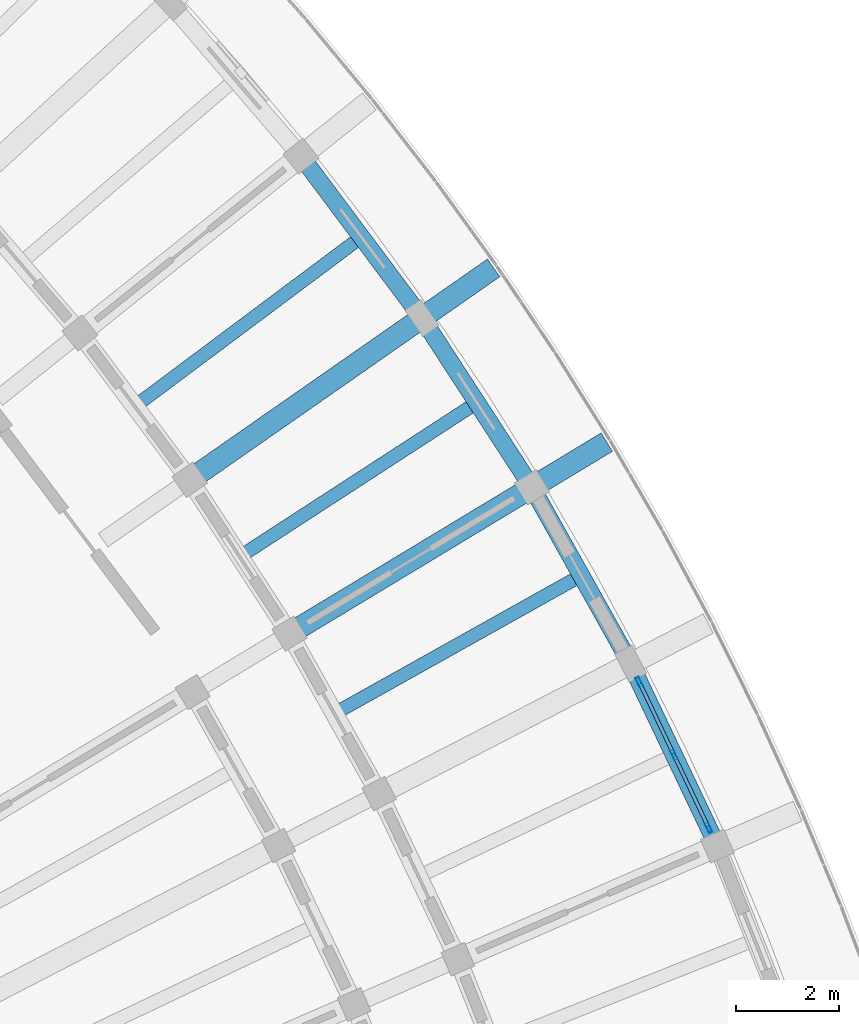
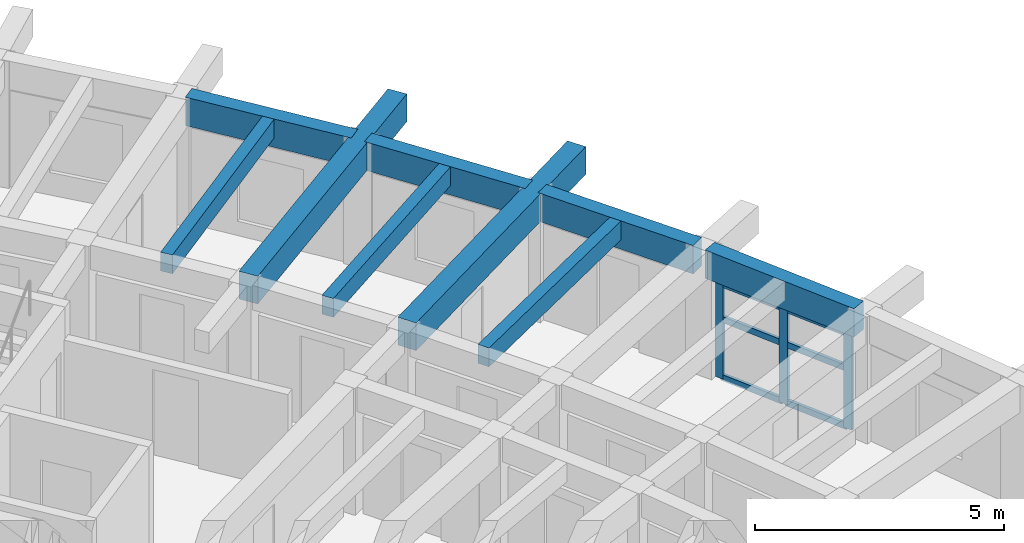
# One storey, part 28 of 83: 9 beams, 9 members, 1 element without a shape of its own.
"""IFC4 building model written with IfcOpenShell, lengths in metres."""

from ifc_helpers import new_model, si_unit, direction, frame, origin, origin_2d, place, context, subcontext, project, spatial, rectangle, hollow_rectangle, extrude, material, material_profile, profile_set, type_object, element, aggregate, save


model = new_model("IFC4")

# Units and contexts
model_context = context("Model", 3, precision=1e-05, world=origin(), true_north=direction((0.0, 1.0)))
body_context = subcontext(model_context, "Body", "Model", "MODEL_VIEW")
ifc_project = project(units=[si_unit("LENGTHUNIT", "METRE"), si_unit("AREAUNIT", "SQUARE_METRE"), si_unit("VOLUMEUNIT", "CUBIC_METRE"), si_unit("PLANEANGLEUNIT", "RADIAN"), si_unit("MASSUNIT", "GRAM", prefix="KILO")], contexts=[model_context])

# Site, building, storey
site_placement = place(None, origin())
site = spatial("IfcSite", under=ifc_project, at=site_placement, CompositionType="ELEMENT")
building_placement = place(site_placement, origin())
building = spatial("IfcBuilding", under=site, at=building_placement, Name="Tanwirah Colonnade Gardens", CompositionType="ELEMENT")
storey_placement = place(building_placement, frame((0.0, 0.0, 25.639892578125)))
storey = spatial("IfcBuildingStorey", under=building, at=storey_placement, Name="L07", CompositionType="ELEMENT", Elevation=25.639892578125)

# Beams
ifc_material_1 = material(Name="Precast concrete C45/55", Category="concrete")
ifc_material_profile_1 = material_profile(ifc_material_1, rectangle(XDim=0.419921875, YDim=0.679931640625, at=origin_2d()), Name="PC-BM 420x680")
ifc_profile_set_1 = profile_set([ifc_material_profile_1], Name="Precast concrete C45/55")
beam_type_1 = type_object("IfcBeamType", Name="BM-PC420", PredefinedType="BEAM", material=ifc_profile_set_1)
for number, where, z_axis, x_axis, name in (
    (1, (167.404296875, 88.205078125, 2.77001953125), (0.856157813984, 0.516714425533, 0.0), (-0.516714425533, 0.856157813984, 0.0), "Block B L07 Outer Radial Precast Girder 4"),
    (2, (165.458251953125, 91.20166015625, 2.77001953125), (0.820270158139, 0.571976282433, 0.0), (-0.571976282433, 0.820270158139, 0.0), "Block B L07 Outer Radial Precast Girder 5"),
):
    element("IfcBeam", number, at=place(storey_placement, frame(where, z_axis=z_axis, x_axis=x_axis)), inside=storey, type_object=beam_type_1, Name=name, PredefinedType="BEAM", context=body_context, shape_type="SweptSolid", body=[
        extrude(rectangle(XDim=0.419921875, YDim=0.679931640625, at=origin_2d()), origin(), (0.0, 0.0, 1.0), 7.050048828125),
    ])

# Curtain wall, members
ifc_material_2 = material(Name="Bronze-anodised aluminium and solar-control low-E glass", Category="aluminium")
curtain_wall_type = type_object("IfcCurtainWallType", Name="CW-LOB", PredefinedType="NOTDEFINED", material=ifc_material_2)
curtain_wall_placement = place(storey_placement, origin())
curtain_wall = element("IfcCurtainWall", 3, at=curtain_wall_placement, inside=storey, type_object=curtain_wall_type, Name="Curtain Wall CW-B-L07-OUT-02", PredefinedType="NOTDEFINED")
ifc_material_3 = material(Name="Bronze-anodised aluminium", Category="aluminium")
ifc_material_profile_2 = material_profile(ifc_material_3, hollow_rectangle(XDim=0.070068359375, YDim=0.199951171875, WallThickness=0.00390625, at=origin_2d()), Name="CW-MUL 70x200x4")
ifc_profile_set_2 = profile_set([ifc_material_profile_2], Name="Bronze-anodised aluminium")
member_type_1 = type_object("IfcMemberType", Name="CWM-70x200", PredefinedType="MULLION", material=ifc_profile_set_2)
member_1_placement = place(storey_placement, frame((175.418212890625, 84.355224609375, 0.0), z_axis=(0.0, 0.0, 1.0), x_axis=(-0.903002430471, -0.429635439138, 0.0)))
member_1 = element("IfcMember", 4, at=member_1_placement, type_object=member_type_1, Name="CW-LOB mullion 1", PredefinedType="MULLION", context=body_context, shape_type="SweptSolid", body=[
    extrude(hollow_rectangle(XDim=0.070068359375, YDim=0.199951171875, WallThickness=0.00390625, at=origin_2d()), origin(), (0.0, 0.0, 1.0), 2.355224609375),
])
member_2_placement = place(storey_placement, frame((174.74462890625, 85.77099609375, 0.0), z_axis=(0.0, 0.0, 1.0), x_axis=(-0.903002430471, -0.429635439138, 0.0)))
member_2 = element("IfcMember", 5, at=member_2_placement, type_object=member_type_1, Name="CW-LOB mullion 2", PredefinedType="MULLION", context=body_context, shape_type="SweptSolid", body=[
    extrude(hollow_rectangle(XDim=0.070068359375, YDim=0.199951171875, WallThickness=0.00390625, at=origin_2d()), origin(), (0.0, 0.0, 1.0), 2.355224609375),
])
member_3_placement = place(storey_placement, frame((174.071044921875, 87.186767578125, 0.0), z_axis=(0.0, 0.0, 1.0), x_axis=(-0.903002430471, -0.429635439138, 0.0)))
member_3 = element("IfcMember", 6, at=member_3_placement, type_object=member_type_1, Name="CW-LOB mullion 3", PredefinedType="MULLION", context=body_context, shape_type="SweptSolid", body=[
    extrude(hollow_rectangle(XDim=0.070068359375, YDim=0.199951171875, WallThickness=0.00390625, at=origin_2d()), origin(), (0.0, 0.0, 1.0), 2.355224609375),
])
ifc_material_profile_3 = material_profile(ifc_material_3, hollow_rectangle(XDim=0.070068359375, YDim=0.14990234375, WallThickness=0.00390625, at=origin_2d()), Name="CW-TRN 70x150x4")
ifc_profile_set_3 = profile_set([ifc_material_profile_3], Name="Bronze-anodised aluminium")
member_type_2 = type_object("IfcMemberType", Name="CWT-70x150", PredefinedType="USERDEFINED", material=ifc_profile_set_3)
member_4_placement = place(storey_placement, frame((175.403076171875, 84.38671875, 0.03515625), z_axis=(-0.429655172702, 0.902993041263, 0.0), x_axis=(-0.902993041263, -0.429655172702, 0.0)))
member_4 = element("IfcMember", 7, at=member_4_placement, type_object=member_type_2, Name="CW-LOB transom 1.1", ObjectType="TRANSOM", PredefinedType="USERDEFINED", context=body_context, shape_type="SweptSolid", body=[
    extrude(hollow_rectangle(XDim=0.070068359375, YDim=0.14990234375, WallThickness=0.00390625, at=origin_2d()), origin(), (0.0, 0.0, 1.0), 1.497802734375),
])
member_5_placement = place(storey_placement, frame((175.403076171875, 84.38671875, 1.460205078125), z_axis=(-0.429655172702, 0.902993041263, 0.0), x_axis=(-0.902993041263, -0.429655172702, 0.0)))
member_5 = element("IfcMember", 8, at=member_5_placement, type_object=member_type_2, Name="CW-LOB transom 1.2", ObjectType="TRANSOM", PredefinedType="USERDEFINED", context=body_context, shape_type="SweptSolid", body=[
    extrude(hollow_rectangle(XDim=0.070068359375, YDim=0.14990234375, WallThickness=0.00390625, at=origin_2d()), origin(), (0.0, 0.0, 1.0), 1.497802734375),
])
member_6_placement = place(storey_placement, frame((175.403076171875, 84.38671875, 2.320068359375), z_axis=(-0.429655172702, 0.902993041263, 0.0), x_axis=(-0.902993041263, -0.429655172702, 0.0)))
member_6 = element("IfcMember", 9, at=member_6_placement, type_object=member_type_2, Name="CW-LOB transom 1.3", ObjectType="TRANSOM", PredefinedType="USERDEFINED", context=body_context, shape_type="SweptSolid", body=[
    extrude(hollow_rectangle(XDim=0.070068359375, YDim=0.14990234375, WallThickness=0.00390625, at=origin_2d()), origin(), (0.0, 0.0, 1.0), 1.497802734375),
])
member_7_placement = place(storey_placement, frame((174.7294921875, 85.802490234375, 0.03515625), z_axis=(-0.429655172702, 0.902993041263, 0.0), x_axis=(-0.902993041263, -0.429655172702, 0.0)))
member_7 = element("IfcMember", 10, at=member_7_placement, type_object=member_type_2, Name="CW-LOB transom 2.1", ObjectType="TRANSOM", PredefinedType="USERDEFINED", context=body_context, shape_type="SweptSolid", body=[
    extrude(hollow_rectangle(XDim=0.070068359375, YDim=0.14990234375, WallThickness=0.00390625, at=origin_2d()), origin(), (0.0, 0.0, 1.0), 1.497802734375),
])
member_8_placement = place(storey_placement, frame((174.7294921875, 85.802490234375, 1.460205078125), z_axis=(-0.429655172702, 0.902993041263, 0.0), x_axis=(-0.902993041263, -0.429655172702, 0.0)))
member_8 = element("IfcMember", 11, at=member_8_placement, type_object=member_type_2, Name="CW-LOB transom 2.2", ObjectType="TRANSOM", PredefinedType="USERDEFINED", context=body_context, shape_type="SweptSolid", body=[
    extrude(hollow_rectangle(XDim=0.070068359375, YDim=0.14990234375, WallThickness=0.00390625, at=origin_2d()), origin(), (0.0, 0.0, 1.0), 1.497802734375),
])
member_9_placement = place(storey_placement, frame((174.7294921875, 85.802490234375, 2.320068359375), z_axis=(-0.429655172702, 0.902993041263, 0.0), x_axis=(-0.902993041263, -0.429655172702, 0.0)))
member_9 = element("IfcMember", 12, at=member_9_placement, type_object=member_type_2, Name="CW-LOB transom 2.3", ObjectType="TRANSOM", PredefinedType="USERDEFINED", context=body_context, shape_type="SweptSolid", body=[
    extrude(hollow_rectangle(XDim=0.070068359375, YDim=0.14990234375, WallThickness=0.00390625, at=origin_2d()), origin(), (0.0, 0.0, 1.0), 1.497802734375),
])
aggregate(curtain_wall, [member_1, member_2, member_3, member_4, member_5, member_6, member_7, member_8, member_9])

# Beams
ifc_material_4 = material(Name="Precast concrete C40/50", Category="concrete")
ifc_material_profile_4 = material_profile(ifc_material_4, rectangle(XDim=0.260009765625, YDim=0.4599609375, at=origin_2d()), Name="PC-JST 260x460")
ifc_profile_set_4 = profile_set([ifc_material_profile_4], Name="Precast concrete C40/50")
beam_type_2 = type_object("IfcBeamType", Name="JST-PC260", PredefinedType="JOIST", material=ifc_profile_set_4)
beam_1_placement = place(storey_placement, frame((168.27587890625, 86.645751953125, 2.880126953125), z_axis=(0.872737031138, 0.488190612855, 0.0), x_axis=(-0.488190612855, 0.872737031138, 0.0)))
element("IfcBeam", 13, at=beam_1_placement, inside=storey, type_object=beam_type_2, Name="Block B L07 Precast Floor Joist 3", PredefinedType="JOIST", context=body_context, shape_type="SweptSolid", body=[
    extrude(rectangle(XDim=0.260009765625, YDim=0.4599609375, at=origin_2d()), origin(), (0.0, 0.0, 1.0), 5.260009765625),
])
beam_2_placement = place(storey_placement, frame((166.4306640625, 89.703125, 2.880126953125), z_axis=(0.83868742622, 0.544613074669, 0.0), x_axis=(-0.544613074669, 0.83868742622, 0.0)))
element("IfcBeam", 14, at=beam_2_placement, inside=storey, type_object=beam_type_2, Name="Block B L07 Precast Floor Joist 4", PredefinedType="JOIST", context=body_context, shape_type="SweptSolid", body=[
    extrude(rectangle(XDim=0.260009765625, YDim=0.4599609375, at=origin_2d()), origin(), (0.0, 0.0, 1.0), 5.26025390625),
])
beam_3_placement = place(storey_placement, frame((164.38818359375, 92.63232421875, 2.880126953125), z_axis=(0.800973647215, 0.598699604533, 0.0), x_axis=(-0.598699604533, 0.800973647215, 0.0)))
element("IfcBeam", 15, at=beam_3_placement, inside=storey, type_object=beam_type_2, Name="Block B L07 Precast Floor Joist 5", PredefinedType="JOIST", context=body_context, shape_type="SweptSolid", body=[
    extrude(rectangle(XDim=0.260009765625, YDim=0.4599609375, at=origin_2d()), origin(), (0.0, 0.0, 1.0), 5.260009765625),
])
ifc_material_profile_5 = material_profile(ifc_material_4, rectangle(XDim=0.3349609375, YDim=0.695068359375, at=origin_2d()), Name="PC-SP 335x695")
ifc_profile_set_5 = profile_set([ifc_material_profile_5], Name="Precast concrete C40/50")
beam_type_3 = type_object("IfcBeamType", Name="SP-PC300", PredefinedType="SPANDREL", material=ifc_profile_set_5)
for number, where, z_axis, x_axis, name in (
    (16, (175.5234375, 84.1337890625, 2.7626953125), (-0.429593766142, 0.903022256698, 0.0), (-0.903022256698, -0.429593766142, 0.0), "Block B L07 Circumferential Beam 2-R3"),
    (17, (173.828125, 87.67431640625, 2.7626953125), (-0.488236312193, 0.872711466326, 0.0), (-0.872711466326, -0.488236312193, 0.0), "Block B L07 Circumferential Beam 3-R3"),
    (18, (171.903076171875, 91.09521484375, 2.7626953125), (-0.544621436184, 0.838681996497, 0.0), (-0.838681996497, -0.544621436184, 0.0), "Block B L07 Circumferential Beam 4-R3"),
    (19, (169.7568359375, 94.382080078125, 2.7626953125), (-0.598695554058, 0.800976674786, 0.0), (-0.800976674786, -0.598695554058, 0.0), "Block B L07 Circumferential Beam 5-R3"),
):
    element("IfcBeam", number, at=place(storey_placement, frame(where, z_axis=z_axis, x_axis=x_axis)), inside=storey, type_object=beam_type_3, Name=name, PredefinedType="SPANDREL", context=body_context, shape_type="SweptSolid", body=[
        extrude(rectangle(XDim=0.3349609375, YDim=0.695068359375, at=origin_2d()), origin(), (0.0, 0.0, 1.0), 3.625732421875),
    ])

save(model, "model.ifc")
